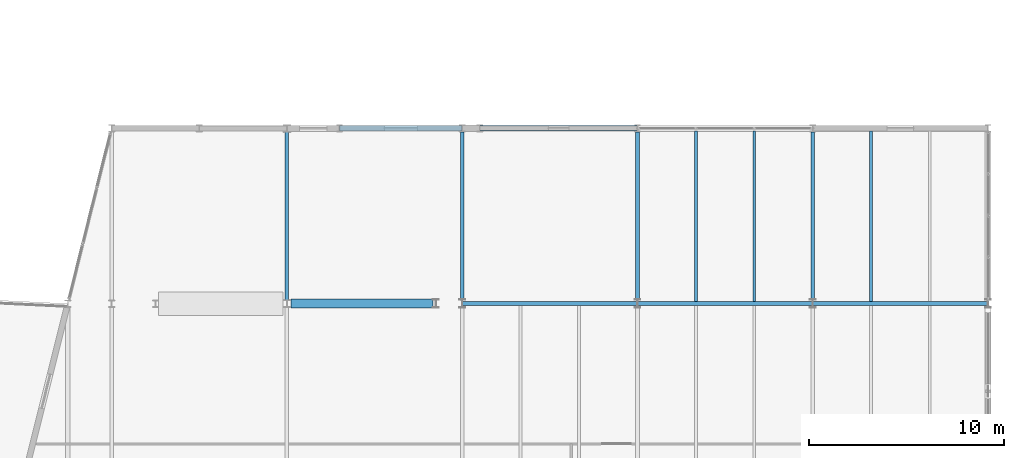
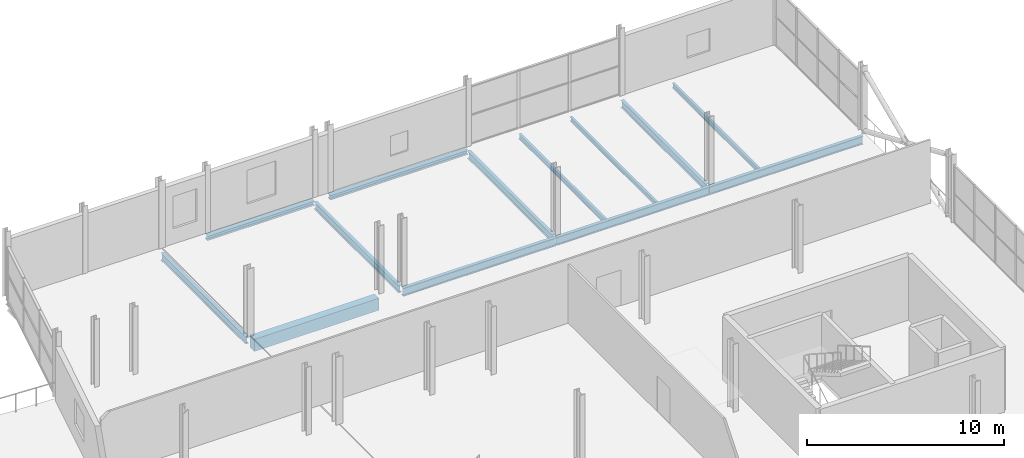
# One storey, part 98 of 135: 13 beams.
"""IFC4 building model written with IfcOpenShell, lengths in metres."""

from ifc_helpers import new_model, si_unit, direction, frame, origin, origin_2d, place, context, subcontext, project, spatial, rectangle, i_section, extrude, material, material_profile, profile_set, type_object, element, save


model = new_model("IFC4")

# Units and contexts
model_context = context("Model", 3, precision=1e-05, world=origin(), true_north=direction((0.0, 1.0)))
body_context = subcontext(model_context, "Body", "Model", "MODEL_VIEW")
ifc_project = project(units=[si_unit("LENGTHUNIT", "METRE"), si_unit("AREAUNIT", "SQUARE_METRE"), si_unit("VOLUMEUNIT", "CUBIC_METRE"), si_unit("PLANEANGLEUNIT", "RADIAN"), si_unit("MASSUNIT", "GRAM", prefix="KILO")], contexts=[model_context])

# Site, building, storey
site_placement = place(None, origin())
site = spatial("IfcSite", under=ifc_project, at=site_placement, CompositionType="ELEMENT")
building_placement = place(site_placement, origin())
building = spatial("IfcBuilding", under=site, at=building_placement, Name="Deido Ridge Mobility Hub", CompositionType="ELEMENT")
storey_placement = place(building_placement, frame((0.0, 0.0, 4.199951171875)))
storey = spatial("IfcBuildingStorey", under=building, at=storey_placement, Name="L01", CompositionType="ELEMENT", Elevation=4.199951171875)

# Beams
ifc_material_1 = material(Name="Steel S355J2 EN 10025-2", Category="steel")
ifc_material_profile_1 = material_profile(ifc_material_1, i_section(OverallWidth=0.18994140625, OverallDepth=0.449951171875, WebThickness=0.009521484375, FlangeThickness=0.0146484375, FilletRadius=0.02099609375, at=origin_2d()), Name="IPE 450")
ifc_profile_set_1 = profile_set([ifc_material_profile_1], Name="Steel S355J2 EN 10025-2")
beam_type_1 = type_object("IfcBeamType", Name="BM-IPE450", PredefinedType="BEAM", material=ifc_profile_set_1)
beam_1_placement = place(storey_placement, frame((144.0, 63.196533203125, -0.474853515625), z_axis=(0.0, 1.0, 0.0), x_axis=(-1.0, 0.0, 0.0)))
element("IfcBeam", 1, at=beam_1_placement, inside=storey, type_object=beam_type_1, Name="Floor beam B4", PredefinedType="BEAM", context=body_context, shape_type="SweptSolid", body=[
    extrude(i_section(OverallWidth=0.18994140625, OverallDepth=0.449951171875, WebThickness=0.009521484375, FlangeThickness=0.0146484375, FilletRadius=0.02099609375, at=origin_2d()), origin(), (0.0, 0.0, 1.0), 8.60693359375),
])
for number, where, z_axis, x_axis, name in (
    (2, (153.0, 63.22509765625, -0.474853515625), (0.0, 1.0, 0.0), (-1.0, 0.0, 0.0), "Floor beam B4"),
    (3, (162.0, 63.22509765625, -0.474853515625), (0.0, 1.0, 0.0), (-1.0, 0.0, 0.0), "Floor beam B4"),
    (4, (171.0, 63.22509765625, -0.474853515625), (0.0, 1.0, 0.0), (-1.0, 0.0, 0.0), "Floor beam B4"),
):
    element("IfcBeam", number, at=place(storey_placement, frame(where, z_axis=z_axis, x_axis=x_axis)), inside=storey, type_object=beam_type_1, Name=name, PredefinedType="BEAM", context=body_context, shape_type="SweptSolid", body=[
        extrude(i_section(OverallWidth=0.18994140625, OverallDepth=0.449951171875, WebThickness=0.009521484375, FlangeThickness=0.0146484375, FilletRadius=0.02099609375, at=origin_2d()), origin(), (0.0, 0.0, 1.0), 8.594970703125),
    ])
ifc_material_profile_2 = material_profile(ifc_material_1, i_section(OverallWidth=0.199951171875, OverallDepth=0.5, WebThickness=0.01025390625, FlangeThickness=0.01611328125, FilletRadius=0.02099609375, at=origin_2d()), Name="IPE 500")
ifc_profile_set_2 = profile_set([ifc_material_profile_2], Name="Steel S355J2 EN 10025-2")
beam_type_2 = type_object("IfcBeamType", Name="BM-IPE500", PredefinedType="BEAM", material=ifc_profile_set_2)
for number, where, z_axis, x_axis, name in (
    (5, (153.007080078125, 63.0, -0.5), (1.0, 0.0, 0.0), (0.0, 1.0, 0.0), "Floor beam B3"),
    (6, (162.007080078125, 63.0, -0.5), (1.0, 0.0, 0.0), (0.0, 1.0, 0.0), "Floor beam B3"),
    (7, (171.007080078125, 63.0, -0.5), (1.0, 0.0, 0.0), (0.0, 1.0, 0.0), "Floor beam B3"),
):
    element("IfcBeam", number, at=place(storey_placement, frame(where, z_axis=z_axis, x_axis=x_axis)), inside=storey, type_object=beam_type_2, Name=name, PredefinedType="BEAM", context=body_context, shape_type="SweptSolid", body=[
        extrude(i_section(OverallWidth=0.199951171875, OverallDepth=0.5, WebThickness=0.01025390625, FlangeThickness=0.01611328125, FilletRadius=0.02099609375, at=origin_2d()), origin(), (0.0, 0.0, 1.0), 8.98583984375),
    ])
ifc_material_2 = material(Name="Concrete C40/50", Category="concrete")
ifc_material_profile_3 = material_profile(ifc_material_2, rectangle(XDim=0.449951171875, YDim=0.75, at=origin_2d()), Name="RC BEAM 450x750")
ifc_profile_set_3 = profile_set([ifc_material_profile_3], Name="Concrete C40/50")
beam_type_3 = type_object("IfcBeamType", Name="BM-RC450X750", PredefinedType="BEAM", material=ifc_profile_set_3)
beam_2_placement = place(storey_placement, frame((144.199462890625, 63.0, -0.625), z_axis=(1.0, 0.0, 0.0), x_axis=(0.0, 1.0, 0.0)))
element("IfcBeam", 8, at=beam_2_placement, inside=storey, type_object=beam_type_3, Name="Concrete plant girder RCB1", PredefinedType="BEAM", context=body_context, shape_type="SweptSolid", body=[
    extrude(rectangle(XDim=0.449951171875, YDim=0.75, at=origin_2d()), origin(), (0.0, 0.0, 1.0), 7.300537109375),
])
ifc_material_profile_4 = material_profile(ifc_material_1, i_section(OverallWidth=0.135009765625, OverallDepth=0.27001953125, WebThickness=0.006591796875, FlangeThickness=0.01025390625, FilletRadius=0.014892578125, at=origin_2d()), Name="IPE 270")
ifc_profile_set_4 = profile_set([ifc_material_profile_4], Name="Steel S355J2 EN 10025-2")
beam_type_4 = type_object("IfcBeamType", Name="JST-IPE270", PredefinedType="JOIST", material=ifc_profile_set_4)
beam_3_placement = place(storey_placement, frame((168.0, 63.10009765625, -0.385009765625), z_axis=(0.0, 1.0, 0.0), x_axis=(-1.0, 0.0, 0.0)))
element("IfcBeam", 9, at=beam_3_placement, inside=storey, type_object=beam_type_4, Name="Composite joist J4", PredefinedType="JOIST", context=body_context, shape_type="SweptSolid", body=[
    extrude(i_section(OverallWidth=0.135009765625, OverallDepth=0.27001953125, WebThickness=0.006591796875, FlangeThickness=0.01025390625, FilletRadius=0.014892578125, at=origin_2d()), origin(), (0.0, 0.0, 1.0), 8.75),
])
ifc_material_profile_5 = material_profile(ifc_material_1, i_section(OverallWidth=0.14990234375, OverallDepth=0.300048828125, WebThickness=0.007080078125, FlangeThickness=0.0107421875, FilletRadius=0.014892578125, at=origin_2d()), Name="IPE 300")
ifc_profile_set_5 = profile_set([ifc_material_profile_5], Name="Steel S355J2 EN 10025-2")
beam_type_5 = type_object("IfcBeamType", Name="JST-IPE300", PredefinedType="JOIST", material=ifc_profile_set_5)
for number, where, z_axis, x_axis, name in (
    (10, (165.0, 63.10009765625, -0.39990234375), (0.0, 1.0, 0.0), (-1.0, 0.0, 0.0), "Composite joist J3"),
    (11, (174.0, 63.10009765625, -0.39990234375), (0.0, 1.0, 0.0), (-1.0, 0.0, 0.0), "Composite joist J3"),
):
    element("IfcBeam", number, at=place(storey_placement, frame(where, z_axis=z_axis, x_axis=x_axis)), inside=storey, type_object=beam_type_5, Name=name, PredefinedType="JOIST", context=body_context, shape_type="SweptSolid", body=[
        extrude(i_section(OverallWidth=0.14990234375, OverallDepth=0.300048828125, WebThickness=0.007080078125, FlangeThickness=0.0107421875, FilletRadius=0.014892578125, at=origin_2d()), origin(), (0.0, 0.0, 1.0), 8.75),
    ])
ifc_material_profile_6 = material_profile(ifc_material_1, i_section(OverallWidth=0.280029296875, OverallDepth=0.27001953125, WebThickness=0.008056640625, FlangeThickness=0.012939453125, FilletRadius=0.02392578125, at=origin_2d()), Name="HEA 280")
ifc_profile_set_6 = profile_set([ifc_material_profile_6], Name="Steel S355J2 EN 10025-2")
beam_type_6 = type_object("IfcBeamType", Name="SPD-HEA280", PredefinedType="SPANDREL", material=ifc_profile_set_6)
beam_4_placement = place(storey_placement, frame((146.706298828125, 72.0, -0.385009765625), z_axis=(1.0, 0.0, 0.0), x_axis=(0.0, 1.0, 0.0)))
element("IfcBeam", 12, at=beam_4_placement, inside=storey, type_object=beam_type_6, Name="Floor beam SP2", PredefinedType="SPANDREL", context=body_context, shape_type="SweptSolid", body=[
    extrude(i_section(OverallWidth=0.280029296875, OverallDepth=0.27001953125, WebThickness=0.008056640625, FlangeThickness=0.012939453125, FilletRadius=0.02392578125, at=origin_2d()), origin(), (0.0, 0.0, 1.0), 6.28759765625),
])
beam_5_placement = place(storey_placement, frame((153.90625, 72.0, -0.385009765625), z_axis=(1.0, 0.0, 0.0), x_axis=(0.0, 1.0, 0.0)))
element("IfcBeam", 13, at=beam_5_placement, inside=storey, type_object=beam_type_6, Name="Floor beam SP2", PredefinedType="SPANDREL", context=body_context, shape_type="SweptSolid", body=[
    extrude(i_section(OverallWidth=0.280029296875, OverallDepth=0.27001953125, WebThickness=0.008056640625, FlangeThickness=0.012939453125, FilletRadius=0.02392578125, at=origin_2d()), origin(), (0.0, 0.0, 1.0), 8.087646484375),
])

save(model, "model.ifc")
